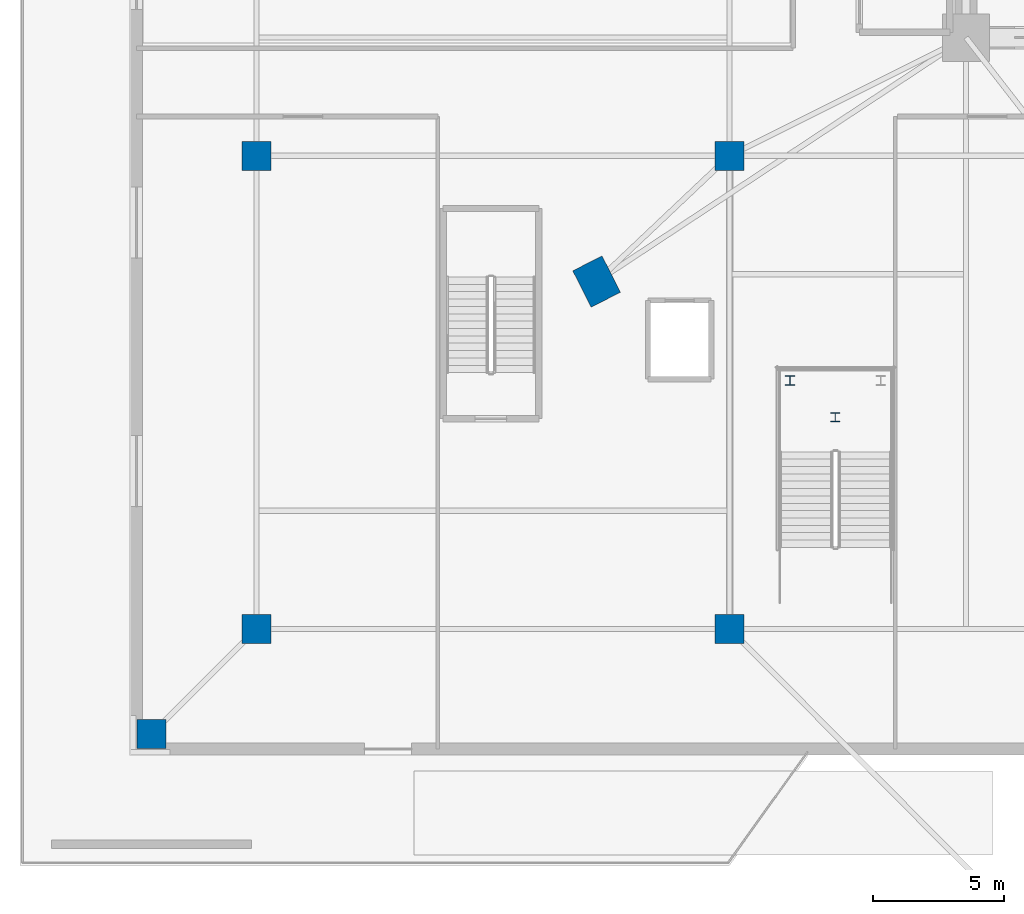
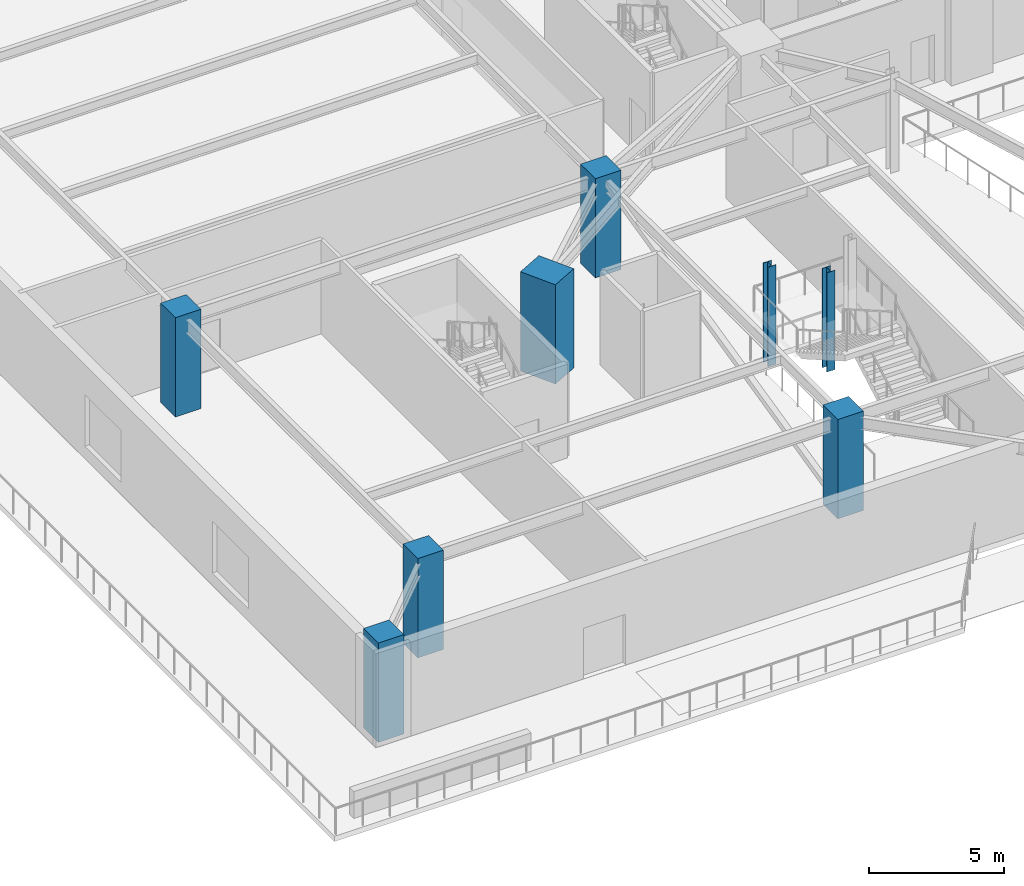
# One storey, part 1 of 19: 8 columns.
"""IFC4 building model written with IfcOpenShell, lengths in metres."""

from ifc_helpers import new_model, si_unit, direction, frame, origin, origin_2d, place, context, subcontext, project, spatial, rectangle, i_section, extrude, source, transform, mapped, material, material_profile, profile_set, type_object, element, save


model = new_model("IFC4")

# Units and contexts
model_context = context("Model", 3, precision=1e-05, world=origin(), true_north=direction((0.0, 1.0)))
body_context = subcontext(model_context, "Body", "Model", "MODEL_VIEW")
ifc_project = project(units=[si_unit("LENGTHUNIT", "METRE"), si_unit("AREAUNIT", "SQUARE_METRE"), si_unit("VOLUMEUNIT", "CUBIC_METRE"), si_unit("PLANEANGLEUNIT", "RADIAN"), si_unit("MASSUNIT", "GRAM", prefix="KILO")], contexts=[model_context])

# Site, building, storey
site_placement = place(None, origin())
site = spatial("IfcSite", under=ifc_project, at=site_placement, CompositionType="ELEMENT")
building_placement = place(site_placement, origin())
building = spatial("IfcBuilding", under=site, at=building_placement, Name="Liaohun Quay Tower", CompositionType="ELEMENT")
storey_placement = place(building_placement, frame((0.0, 0.0, 9.89990234375)))
storey = spatial("IfcBuildingStorey", under=building, at=storey_placement, Name="L03", CompositionType="ELEMENT", Elevation=9.89990234375)

# Columns
ifc_material_1 = material(Name="Concrete C60", Category="concrete")
ifc_material_profile_1 = material_profile(ifc_material_1, rectangle(XDim=1.550048828125, YDim=1.25, at=origin_2d()), Name="RC1550x1250")
ifc_profile_set_1 = profile_set([ifc_material_profile_1], Name="Concrete C60")
column_type_1 = type_object("IfcColumnType", Name="COL-PIER-Z1", PredefinedType="COLUMN", material=ifc_profile_set_1)
shared_shape_1 = source(origin(), body_context, "Body", "SweptSolid", [
    extrude(rectangle(XDim=1.550048828125, YDim=1.25, at=origin_2d()), origin(), (0.0, 0.0, 1.0), 4.5),
])
column_placement = place(storey_placement, frame((36.94091796875, 37.217041015625, 0.0), z_axis=(0.0, 0.0, 1.0), x_axis=(-0.451500573218, 0.892270829056, 0.0)))
element("IfcColumn", 1, at=column_placement, inside=storey, type_object=column_type_1, Name="L03 Tower Mega-Pier PC02", PredefinedType="COLUMN", context=body_context, shape_type="MappedRepresentation", body=[
    mapped(shared_shape_1, transform((0.0, 0.0, 0.0), x_axis=(1.0, 0.0, 0.0), y_axis=(0.0, 1.0, 0.0), z_axis=(0.0, 0.0, 1.0), scale=1.0)),
])
ifc_material_2 = material(Name="Concrete C55", Category="concrete")
ifc_material_profile_2 = material_profile(ifc_material_2, rectangle(XDim=1.10009765625, YDim=1.10009765625, at=origin_2d()), Name="RC1100x1100")
ifc_profile_set_2 = profile_set([ifc_material_profile_2], Name="Concrete C55")
column_type_2 = type_object("IfcColumnType", Name="COL-POD-P", PredefinedType="COLUMN", material=ifc_profile_set_2)
shared_shape_2 = source(origin(), body_context, "Body", "SweptSolid", [
    extrude(rectangle(XDim=1.10009765625, YDim=1.10009765625, at=origin_2d()), origin(), (0.0, 0.0, 1.0), 4.5),
])
for number, where, z_axis, x_axis, name in (
    (2, (24.0, 24.0, 0.0), (0.0, 0.0, 1.0), (1.0, 0.0, 0.0), "L03 Podium Column PG01"),
    (3, (42.0, 24.0, 0.0), (0.0, 0.0, 1.0), (1.0, 0.0, 0.0), "L03 Podium Column PG02"),
    (4, (24.0, 42.0, 0.0), (0.0, 0.0, 1.0), (1.0, 0.0, 0.0), "L03 Podium Column PG06"),
    (5, (42.0, 42.0, 0.0), (0.0, 0.0, 1.0), (1.0, 0.0, 0.0), "L03 Podium Column PG07"),
    (6, (20.0, 20.0, 0.0), (0.0, 0.0, 1.0), (1.0, 0.0, 0.0), "L03 Podium Column PT05"),
):
    element("IfcColumn", number, at=place(storey_placement, frame(where, z_axis=z_axis, x_axis=x_axis)), inside=storey, type_object=column_type_2, Name=name, PredefinedType="COLUMN", context=body_context, shape_type="MappedRepresentation", body=[
        mapped(shared_shape_2, transform((0.0, 0.0, 0.0), x_axis=(1.0, 0.0, 0.0), y_axis=(0.0, 1.0, 0.0), z_axis=(0.0, 0.0, 1.0), scale=1.0)),
    ])
ifc_material_3 = material(Name="Steel Q355D", Category="steel")
ifc_material_profile_3 = material_profile(ifc_material_3, i_section(OverallWidth=0.35009765625, OverallDepth=0.35009765625, WebThickness=0.011962890625, FlangeThickness=0.01904296875, at=origin_2d()), Name="HW350x350x12x19")
ifc_profile_set_3 = profile_set([ifc_material_profile_3], Name="Steel Q355D")
column_type_3 = type_object("IfcColumnType", Name="COL-STL-ATR", PredefinedType="COLUMN", material=ifc_profile_set_3)
shared_shape_3 = source(origin(), body_context, "Body", "SweptSolid", [
    extrude(i_section(OverallWidth=0.35009765625, OverallDepth=0.35009765625, WebThickness=0.011962890625, FlangeThickness=0.01904296875, at=origin_2d()), origin(), (0.0, 0.0, 1.0), 4.5),
])
for number, where, z_axis, x_axis, name in (
    (7, (44.300048828125, 33.449951171875, 0.0), (0.0, 0.0, 1.0), (1.0, 0.0, 0.0), "L03 Monumental Stair Support Post STA1"),
    (8, (46.02001953125, 32.050048828125, 0.0), (0.0, 0.0, 1.0), (1.0, 0.0, 0.0), "L03 Monumental Stair Support Post STA3"),
):
    element("IfcColumn", number, at=place(storey_placement, frame(where, z_axis=z_axis, x_axis=x_axis)), inside=storey, type_object=column_type_3, Name=name, PredefinedType="COLUMN", context=body_context, shape_type="MappedRepresentation", body=[
        mapped(shared_shape_3, transform((0.0, 0.0, 0.0), x_axis=(1.0, 0.0, 0.0), y_axis=(0.0, 1.0, 0.0), z_axis=(0.0, 0.0, 1.0), scale=1.0)),
    ])

save(model, "model.ifc")
